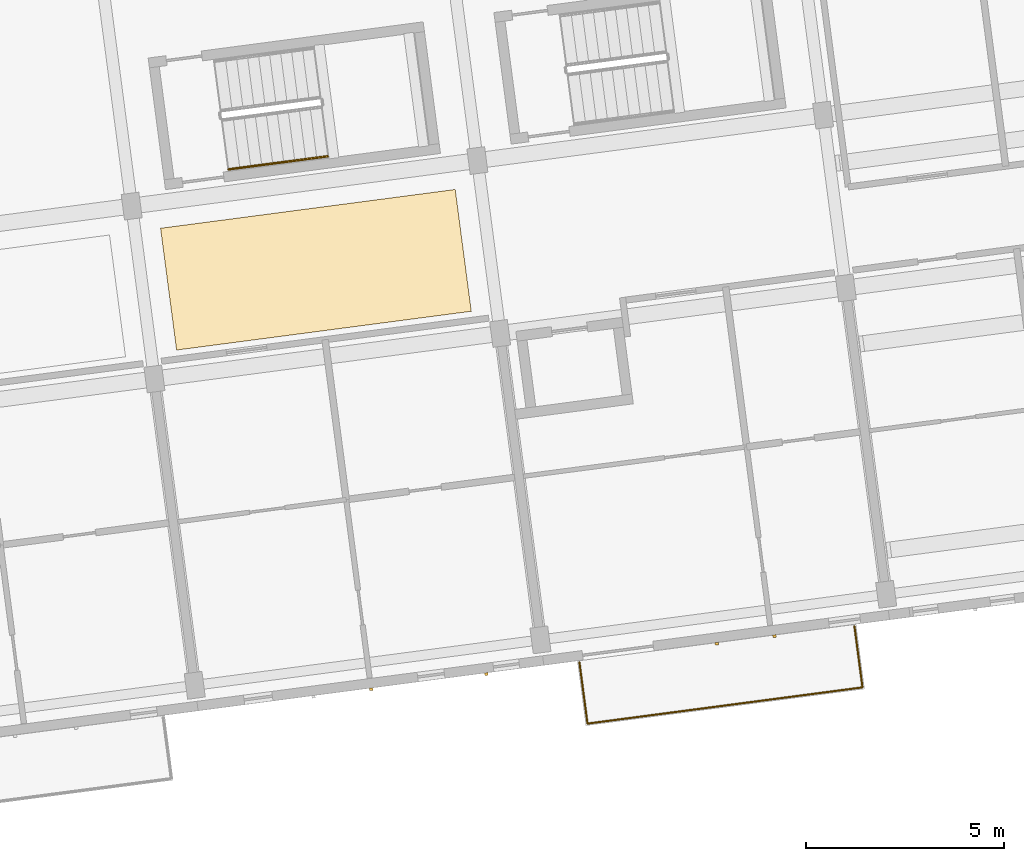
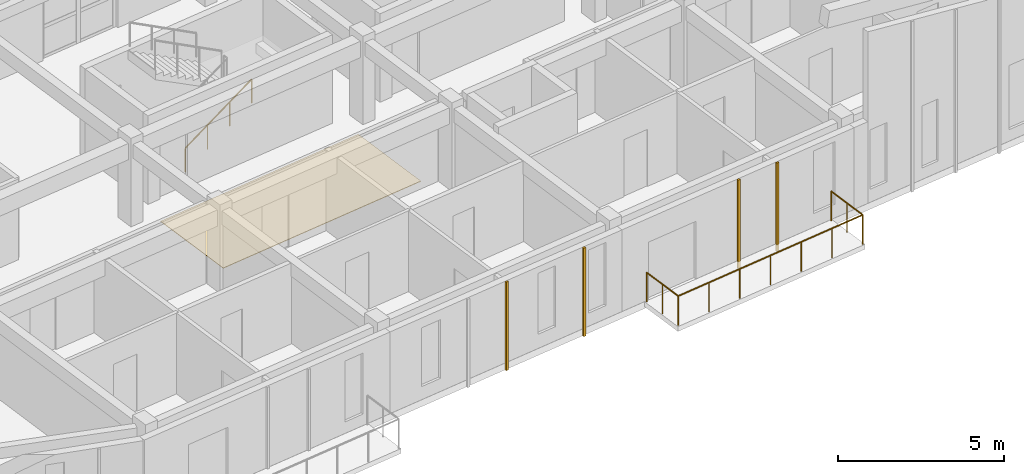
# One storey, part 11 of 16: 5 coverings, 2 railings.
"""IFC4 building model written with IfcOpenShell, lengths in metres."""

from ifc_helpers import new_model, si_unit, direction, frame, origin, origin_2d, place, context, subcontext, project, spatial, polyline, rectangle, circle, outline, extrude, material, layer, layer_set, type_object, element, save


model = new_model("IFC4")

# Units and contexts
model_context = context("Model", 3, precision=1e-05, world=origin(), true_north=direction((0.0, 1.0)))
body_context = subcontext(model_context, "Body", "Model", "MODEL_VIEW")
ifc_project = project(units=[si_unit("LENGTHUNIT", "METRE"), si_unit("AREAUNIT", "SQUARE_METRE"), si_unit("VOLUMEUNIT", "CUBIC_METRE"), si_unit("PLANEANGLEUNIT", "RADIAN"), si_unit("MASSUNIT", "GRAM", prefix="KILO")], contexts=[model_context])

# Site, building, storey
site_placement = place(None, origin())
site = spatial("IfcSite", under=ifc_project, at=site_placement, CompositionType="ELEMENT")
building_placement = place(site_placement, origin())
building = spatial("IfcBuilding", under=site, at=building_placement, Name="Kestramere Prow Commons", CompositionType="ELEMENT")
storey_placement = place(building_placement, frame((0.0, 0.0, 40.89990234375)))
storey = spatial("IfcBuildingStorey", under=building, at=storey_placement, Name="L12", CompositionType="ELEMENT", Elevation=40.89990234375)

# Coverings
ifc_material_1 = material(Name="Weathered Zinc-Titanium Standing-Seam Cladding")
ifc_layer_1 = layer(ifc_material_1, 0.074951171875)
ifc_layer_set_1 = layer_set([ifc_layer_1], Name="Weathered Zinc-Titanium Standing-Seam Cladding")
covering_type_1 = type_object("IfcCoveringType", Name="COV-CLAD-SEAM", PredefinedType="CLADDING", material=ifc_layer_set_1)
for number, where, z_axis, x_axis, name in (
    (1, (27.28369140625, 73.43408203125, -0.25), (0.0, 0.0, 1.0), (-0.991444861374, -0.13052619222, 0.0), "EW-A-L12-S-1 Standing-Seam Rib 1"),
    (2, (24.37548828125, 73.05126953125, -0.25), (0.0, 0.0, 1.0), (-0.991444861374, -0.13052619222, 0.0), "EW-A-L12-S-1 Standing-Seam Rib 3"),
    (3, (34.554443359375, 74.391357421875, -0.25), (0.0, 0.0, 1.0), (-0.991444861374, -0.13052619222, 0.0), "EW-A-L12-S-2 Standing-Seam Rib 2"),
    (4, (33.100341796875, 74.199951171875, -0.25), (0.0, 0.0, 1.0), (-0.991444861374, -0.13052619222, 0.0), "EW-A-L12-S-2 Standing-Seam Rib 3"),
):
    element("IfcCovering", number, at=place(storey_placement, frame(where, z_axis=z_axis, x_axis=x_axis)), inside=storey, type_object=covering_type_1, Name=name, PredefinedType="CLADDING", context=body_context, shape_type="SweptSolid", body=[
        extrude(rectangle(XDim=0.0849609375, YDim=0.06494140625, at=origin_2d()), origin(), (0.0, 0.0, 1.0), 3.25),
    ])
ifc_material_2 = material(Name="Honed Cementitious Terrazzo Tile")
ifc_layer_2 = layer(ifc_material_2, 0.02001953125)
ifc_layer_set_2 = layer_set([ifc_layer_2], Name="Honed Cementitious Terrazzo Tile")
covering_type_2 = type_object("IfcCoveringType", Name="COV-FLOOR-TERRAZZO", PredefinedType="FLOORING", material=ifc_layer_set_2)
covering_placement = place(storey_placement, origin())
element("IfcCovering", 5, at=covering_placement, inside=storey, type_object=covering_type_2, Name="Block A L12 Corridor Terrazzo Flooring 2", PredefinedType="FLOORING", context=body_context, shape_type="SweptSolid", body=[
    extrude(outline(polyline([(19.46630859375, 81.611083984375), (26.902099609375, 82.590087890625), (26.497314453125, 85.66357421875), (19.0615234375, 84.6845703125), (19.46630859375, 81.611083984375)])), origin(), (0.0, 0.0, 1.0), 0.02001953125),
])

# Railings
ifc_material_3 = material(Name="Powder-Coated Aluminium 6063-T6", Category="aluminium")
railing_type_1 = type_object("IfcRailingType", Name="GRD-BALC-1100", PredefinedType="BALUSTRADE", material=ifc_material_3)
railing_1_placement = place(storey_placement, frame((29.6318359375, 73.730712890625, 0.0)))
element("IfcRailing", 6, at=railing_1_placement, inside=storey, type_object=railing_type_1, Name="Block A L12 Balcony Guardrail 3", PredefinedType="BALUSTRADE", context=body_context, shape_type="SweptSolid", body=[
    extrude(circle(Radius=0.02392578125, at=origin_2d()), frame((0.0, 0.0, 1.076171875), z_axis=(0.130523335136, -0.991445237512, 0.0), x_axis=(0.991445237512, 0.130523335136, 0.0)), (0.0, 0.0, 1.0), 1.56005859375),
    extrude(circle(Radius=0.02392578125, at=origin_2d()), frame((0.20361328125, -1.546630859375, 1.076171875), z_axis=(0.991447052715, 0.13050954625, 0.0), x_axis=(-0.13050954625, 0.991447052715, 0.0)), (0.0, 0.0, 1.0), 7.0),
    extrude(circle(Radius=0.02392578125, at=origin_2d()), frame((7.143798828125, -0.633056640625, 1.076171875), z_axis=(-0.130523335136, 0.991445237512, 0.0), x_axis=(-0.991445237512, -0.130523335136, 0.0)), (0.0, 0.0, 1.0), 1.56005859375),
    extrude(circle(Radius=0.02099609375, at=origin_2d()), origin(), (0.0, 0.0, 1.0), 1.052001953125),
    extrude(circle(Radius=0.02099609375, at=origin_2d()), frame((0.101806640625, -0.7734375, 0.0)), (0.0, 0.0, 1.0), 1.052001953125),
    extrude(circle(Radius=0.02099609375, at=origin_2d()), frame((0.20361328125, -1.546630859375, 0.0)), (0.0, 0.0, 1.0), 1.052001953125),
    extrude(circle(Radius=0.02099609375, at=origin_2d()), frame((1.3603515625, -1.394287109375, 0.0)), (0.0, 0.0, 1.0), 1.052001953125),
    extrude(circle(Radius=0.02099609375, at=origin_2d()), frame((2.51708984375, -1.2421875, 0.0)), (0.0, 0.0, 1.0), 1.052001953125),
    extrude(circle(Radius=0.02099609375, at=origin_2d()), frame((3.673828125, -1.08984375, 0.0)), (0.0, 0.0, 1.0), 1.052001953125),
    extrude(circle(Radius=0.02099609375, at=origin_2d()), frame((4.830322265625, -0.9375, 0.0)), (0.0, 0.0, 1.0), 1.052001953125),
    extrude(circle(Radius=0.02099609375, at=origin_2d()), frame((5.987060546875, -0.785400390625, 0.0)), (0.0, 0.0, 1.0), 1.052001953125),
    extrude(circle(Radius=0.02099609375, at=origin_2d()), frame((7.143798828125, -0.633056640625, 0.0)), (0.0, 0.0, 1.0), 1.052001953125),
    extrude(circle(Radius=0.02099609375, at=origin_2d()), frame((7.0419921875, 0.14013671875, 0.0)), (0.0, 0.0, 1.0), 1.052001953125),
    extrude(circle(Radius=0.02099609375, at=origin_2d()), frame((6.940185546875, 0.91357421875, 0.0)), (0.0, 0.0, 1.0), 1.052001953125),
])
ifc_material_4 = material(Name="Stainless Steel 304", Category="steel")
railing_type_2 = type_object("IfcRailingType", Name="RL-ST-HR-900", PredefinedType="HANDRAIL", material=ifc_material_4)
railing_2_placement = place(storey_placement, frame((20.7822265625, 86.171875, 0.3251953125)))
element("IfcRailing", 7, at=railing_2_placement, inside=storey, type_object=railing_type_2, Name="L12 ST-A1 stair handrail 1", PredefinedType="HANDRAIL", context=body_context, shape_type="SweptSolid", body=[
    extrude(circle(Radius=0.02392578125, at=origin_2d()), frame((0.0, 0.0, 0.8759765625), z_axis=(0.857492745196, 0.112958098361, 0.501942885148), x_axis=(-0.130602379397, 0.991434828164, 0.0)), (0.0, 0.0, 1.0), 2.91357421875),
    extrude(circle(Radius=0.02099609375, at=origin_2d()), origin(), (0.0, 0.0, 1.0), 0.851806640625),
    extrude(circle(Radius=0.02099609375, at=origin_2d()), frame((0.832763671875, 0.109619140625, 0.487548828125)), (0.0, 0.0, 1.0), 0.851806640625),
    extrude(circle(Radius=0.02099609375, at=origin_2d()), frame((1.66552734375, 0.219482421875, 0.974853515625)), (0.0, 0.0, 1.0), 0.851806640625),
    extrude(circle(Radius=0.02099609375, at=origin_2d()), frame((2.498291015625, 0.3291015625, 1.46240234375)), (0.0, 0.0, 1.0), 0.851806640625),
])

save(model, "model.ifc")
